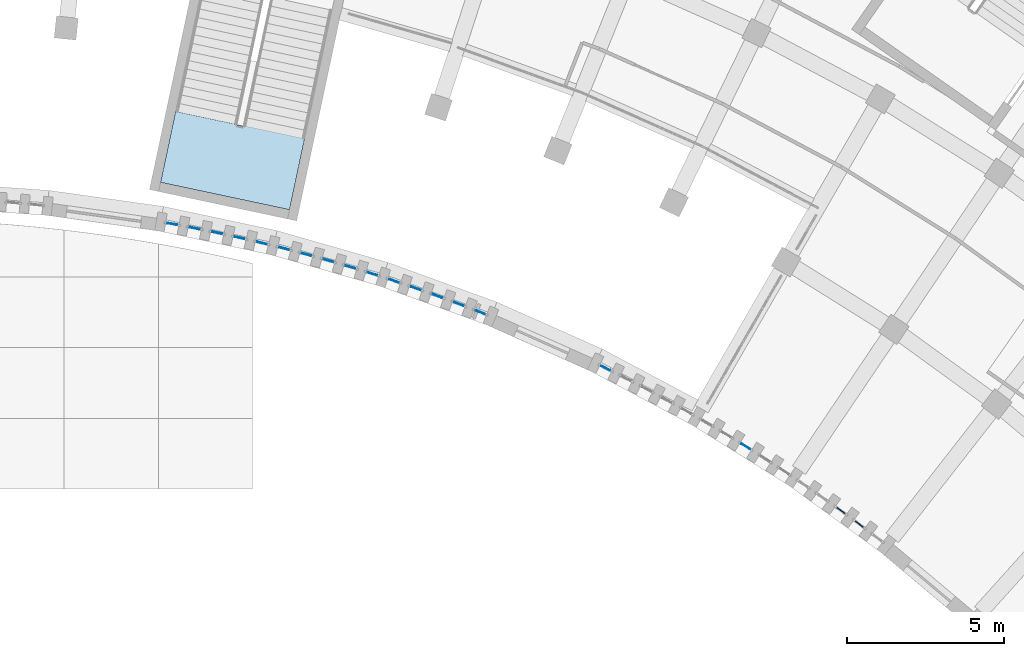
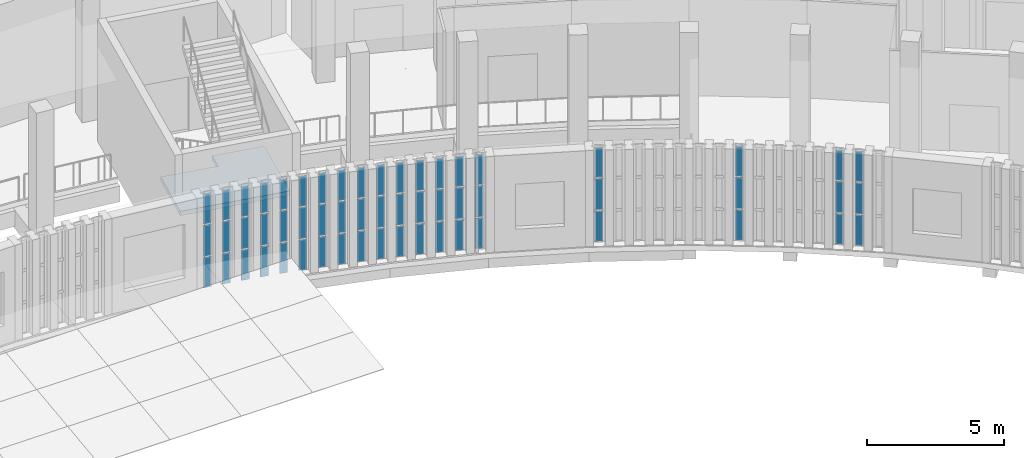
# One storey, part 46 of 112: 57 plates, 1 slab, 20 elements without a shape of their own.
"""IFC4 building model written with IfcOpenShell, lengths in metres."""

from ifc_helpers import new_model, si_unit, direction, frame, origin, origin_2d, place, context, subcontext, project, spatial, polyline, rectangle, outline, extrude, material, layer, layer_set, type_object, element, aggregate, save


model = new_model("IFC4")

# Units and contexts
model_context = context("Model", 3, precision=1e-05, world=origin(), true_north=direction((0.0, 1.0)))
body_context = subcontext(model_context, "Body", "Model", "MODEL_VIEW")
ifc_project = project(units=[si_unit("LENGTHUNIT", "METRE"), si_unit("AREAUNIT", "SQUARE_METRE"), si_unit("VOLUMEUNIT", "CUBIC_METRE"), si_unit("PLANEANGLEUNIT", "RADIAN"), si_unit("MASSUNIT", "GRAM", prefix="KILO")], contexts=[model_context])

# Site, building, storey
site_placement = place(None, origin())
site = spatial("IfcSite", under=ifc_project, at=site_placement, CompositionType="ELEMENT")
building_placement = place(site_placement, origin())
building = spatial("IfcBuilding", under=site, at=building_placement, Name="Lunette Opera House", CompositionType="ELEMENT")
storey_placement = place(building_placement, frame((0.0, 0.0, 6.0)))
storey = spatial("IfcBuildingStorey", under=building, at=storey_placement, Name="L01", CompositionType="ELEMENT", Elevation=6.0)

# Curtain wall, plates
ifc_material_1 = material(Name="Aluminium", Category="aluminium")
ifc_layer_1 = layer(ifc_material_1, 0.1201171875)
ifc_layer_set_1 = layer_set([ifc_layer_1], Name="Aluminium")
curtain_wall_type = type_object("IfcCurtainWallType", Name="SLOT CURTAIN WALL", PredefinedType="NOTDEFINED", material=ifc_layer_set_1)
curtain_wall_1_placement = place(storey_placement, origin())
curtain_wall_1 = element("IfcCurtainWall", 1, at=curtain_wall_1_placement, inside=storey, type_object=curtain_wall_type, Name="Slot Curtain Wall CS046 L01", PredefinedType="NOTDEFINED")
ifc_material_2 = material(Name="Laminated glass", Category="glass")
ifc_layer_2 = layer(ifc_material_2, 0.028076171875)
ifc_layer_set_2 = layer_set([ifc_layer_2], Name="Laminated glass")
plate_type = type_object("IfcPlateType", Name="CURTAIN PANEL LAMINATED GLASS 28", PredefinedType="CURTAIN_PANEL", material=ifc_layer_set_2)
plate_1_placement = place(storey_placement, frame((105.44091796875, 51.4404296875, 0.06005859375), z_axis=(0.0, 0.0, 1.0), x_axis=(0.983907017475, -0.178681227225, 0.0)))
plate_1 = element("IfcPlate", 2, at=plate_1_placement, type_object=plate_type, Name="FC-X2092 panel 1.1", PredefinedType="CURTAIN_PANEL", context=body_context, shape_type="SweptSolid", body=[
    extrude(rectangle(XDim=0.31103515625, YDim=0.028076171875, at=origin_2d()), origin(), (0.0, 0.0, 1.0), 1.343017578125),
])
plate_2_placement = place(storey_placement, frame((105.44091796875, 51.4404296875, 1.462890625), z_axis=(0.0, 0.0, 1.0), x_axis=(0.983907017475, -0.178681227225, 0.0)))
plate_2 = element("IfcPlate", 3, at=plate_2_placement, type_object=plate_type, Name="FC-X2092 panel 1.2", PredefinedType="CURTAIN_PANEL", context=body_context, shape_type="SweptSolid", body=[
    extrude(rectangle(XDim=0.31103515625, YDim=0.028076171875, at=origin_2d()), origin(), (0.0, 0.0, 1.0), 1.3740234375),
])
plate_3_placement = place(storey_placement, frame((105.44091796875, 51.4404296875, 2.89697265625), z_axis=(0.0, 0.0, 1.0), x_axis=(0.983907017475, -0.178681227225, 0.0)))
plate_3 = element("IfcPlate", 4, at=plate_3_placement, type_object=plate_type, Name="FC-X2092 panel 1.3", PredefinedType="CURTAIN_PANEL", context=body_context, shape_type="SweptSolid", body=[
    extrude(rectangle(XDim=0.31103515625, YDim=0.028076171875, at=origin_2d()), origin(), (0.0, 0.0, 1.0), 1.343017578125),
])
aggregate(curtain_wall_1, [plate_1, plate_2, plate_3])

curtain_wall_2_placement = place(storey_placement, origin())
curtain_wall_2 = element("IfcCurtainWall", 5, at=curtain_wall_2_placement, inside=storey, type_object=curtain_wall_type, Name="Slot Curtain Wall CS047 L01", PredefinedType="NOTDEFINED")
plate_4_placement = place(storey_placement, frame((106.157958984375, 51.303466796875, 0.06005859375), z_axis=(0.0, 0.0, 1.0), x_axis=(0.981201674814, -0.192985163529, 0.0)))
plate_4 = element("IfcPlate", 6, at=plate_4_placement, type_object=plate_type, Name="FC-X2094 panel 1.1", PredefinedType="CURTAIN_PANEL", context=body_context, shape_type="SweptSolid", body=[
    extrude(rectangle(XDim=0.31005859375, YDim=0.028076171875, at=origin_2d()), origin(), (0.0, 0.0, 1.0), 1.343017578125),
])
plate_5_placement = place(storey_placement, frame((106.157958984375, 51.303466796875, 1.462890625), z_axis=(0.0, 0.0, 1.0), x_axis=(0.981201674814, -0.192985163529, 0.0)))
plate_5 = element("IfcPlate", 7, at=plate_5_placement, type_object=plate_type, Name="FC-X2094 panel 1.2", PredefinedType="CURTAIN_PANEL", context=body_context, shape_type="SweptSolid", body=[
    extrude(rectangle(XDim=0.31005859375, YDim=0.028076171875, at=origin_2d()), origin(), (0.0, 0.0, 1.0), 1.3740234375),
])
plate_6_placement = place(storey_placement, frame((106.157958984375, 51.303466796875, 2.89697265625), z_axis=(0.0, 0.0, 1.0), x_axis=(0.981201674814, -0.192985163529, 0.0)))
plate_6 = element("IfcPlate", 8, at=plate_6_placement, type_object=plate_type, Name="FC-X2094 panel 1.3", PredefinedType="CURTAIN_PANEL", context=body_context, shape_type="SweptSolid", body=[
    extrude(rectangle(XDim=0.31005859375, YDim=0.028076171875, at=origin_2d()), origin(), (0.0, 0.0, 1.0), 1.343017578125),
])
aggregate(curtain_wall_2, [plate_4, plate_5, plate_6])

curtain_wall_3_placement = place(storey_placement, origin())
curtain_wall_3 = element("IfcCurtainWall", 9, at=curtain_wall_3_placement, inside=storey, type_object=curtain_wall_type, Name="Slot Curtain Wall CS048 L01", PredefinedType="NOTDEFINED")
plate_7_placement = place(storey_placement, frame((106.87353515625, 51.156494140625, 0.06005859375), z_axis=(0.0, 0.0, 1.0), x_axis=(0.978376841558, -0.206830258672, 0.0)))
plate_7 = element("IfcPlate", 10, at=plate_7_placement, type_object=plate_type, Name="FC-X2096 panel 1.1", PredefinedType="CURTAIN_PANEL", context=body_context, shape_type="SweptSolid", body=[
    extrude(rectangle(XDim=0.310302734375, YDim=0.028076171875, at=origin_2d()), origin(), (0.0, 0.0, 1.0), 1.343017578125),
])
plate_8_placement = place(storey_placement, frame((106.87353515625, 51.156494140625, 1.462890625), z_axis=(0.0, 0.0, 1.0), x_axis=(0.978376841558, -0.206830258672, 0.0)))
plate_8 = element("IfcPlate", 11, at=plate_8_placement, type_object=plate_type, Name="FC-X2096 panel 1.2", PredefinedType="CURTAIN_PANEL", context=body_context, shape_type="SweptSolid", body=[
    extrude(rectangle(XDim=0.310302734375, YDim=0.028076171875, at=origin_2d()), origin(), (0.0, 0.0, 1.0), 1.3740234375),
])
plate_9_placement = place(storey_placement, frame((106.87353515625, 51.156494140625, 2.89697265625), z_axis=(0.0, 0.0, 1.0), x_axis=(0.978376841558, -0.206830258672, 0.0)))
plate_9 = element("IfcPlate", 12, at=plate_9_placement, type_object=plate_type, Name="FC-X2096 panel 1.3", PredefinedType="CURTAIN_PANEL", context=body_context, shape_type="SweptSolid", body=[
    extrude(rectangle(XDim=0.310302734375, YDim=0.028076171875, at=origin_2d()), origin(), (0.0, 0.0, 1.0), 1.343017578125),
])
aggregate(curtain_wall_3, [plate_7, plate_8, plate_9])

curtain_wall_4_placement = place(storey_placement, origin())
curtain_wall_4 = element("IfcCurtainWall", 13, at=curtain_wall_4_placement, inside=storey, type_object=curtain_wall_type, Name="Slot Curtain Wall CS049 L01", PredefinedType="NOTDEFINED")
plate_10_placement = place(storey_placement, frame((107.5869140625, 51.0, 0.06005859375), z_axis=(0.0, 0.0, 1.0), x_axis=(0.97485850657, -0.222824801509, 0.0)))
plate_10 = element("IfcPlate", 14, at=plate_10_placement, type_object=plate_type, Name="FC-X2098 panel 1.1", PredefinedType="CURTAIN_PANEL", context=body_context, shape_type="SweptSolid", body=[
    extrude(rectangle(XDim=0.310791015625, YDim=0.028076171875, at=origin_2d()), origin(), (0.0, 0.0, 1.0), 1.343017578125),
])
plate_11_placement = place(storey_placement, frame((107.5869140625, 51.0, 1.462890625), z_axis=(0.0, 0.0, 1.0), x_axis=(0.97485850657, -0.222824801509, 0.0)))
plate_11 = element("IfcPlate", 15, at=plate_11_placement, type_object=plate_type, Name="FC-X2098 panel 1.2", PredefinedType="CURTAIN_PANEL", context=body_context, shape_type="SweptSolid", body=[
    extrude(rectangle(XDim=0.310791015625, YDim=0.028076171875, at=origin_2d()), origin(), (0.0, 0.0, 1.0), 1.3740234375),
])
plate_12_placement = place(storey_placement, frame((107.5869140625, 51.0, 2.89697265625), z_axis=(0.0, 0.0, 1.0), x_axis=(0.97485850657, -0.222824801509, 0.0)))
plate_12 = element("IfcPlate", 16, at=plate_12_placement, type_object=plate_type, Name="FC-X2098 panel 1.3", PredefinedType="CURTAIN_PANEL", context=body_context, shape_type="SweptSolid", body=[
    extrude(rectangle(XDim=0.310791015625, YDim=0.028076171875, at=origin_2d()), origin(), (0.0, 0.0, 1.0), 1.343017578125),
])
aggregate(curtain_wall_4, [plate_10, plate_11, plate_12])

curtain_wall_5_placement = place(storey_placement, origin())
curtain_wall_5 = element("IfcCurtainWall", 17, at=curtain_wall_5_placement, inside=storey, type_object=curtain_wall_type, Name="Slot Curtain Wall CS050 L01", PredefinedType="NOTDEFINED")
plate_13_placement = place(storey_placement, frame((108.298095703125, 50.83349609375, 0.06005859375), z_axis=(0.0, 0.0, 1.0), x_axis=(0.972027312434, -0.234867843442, 0.0)))
plate_13 = element("IfcPlate", 18, at=plate_13_placement, type_object=plate_type, Name="FC-X2100 panel 1.1", PredefinedType="CURTAIN_PANEL", context=body_context, shape_type="SweptSolid", body=[
    extrude(rectangle(XDim=0.31005859375, YDim=0.028076171875, at=origin_2d()), origin(), (0.0, 0.0, 1.0), 1.343017578125),
])
plate_14_placement = place(storey_placement, frame((108.298095703125, 50.83349609375, 1.462890625), z_axis=(0.0, 0.0, 1.0), x_axis=(0.972027312434, -0.234867843442, 0.0)))
plate_14 = element("IfcPlate", 19, at=plate_14_placement, type_object=plate_type, Name="FC-X2100 panel 1.2", PredefinedType="CURTAIN_PANEL", context=body_context, shape_type="SweptSolid", body=[
    extrude(rectangle(XDim=0.31005859375, YDim=0.028076171875, at=origin_2d()), origin(), (0.0, 0.0, 1.0), 1.3740234375),
])
plate_15_placement = place(storey_placement, frame((108.298095703125, 50.83349609375, 2.89697265625), z_axis=(0.0, 0.0, 1.0), x_axis=(0.972027312434, -0.234867843442, 0.0)))
plate_15 = element("IfcPlate", 20, at=plate_15_placement, type_object=plate_type, Name="FC-X2100 panel 1.3", PredefinedType="CURTAIN_PANEL", context=body_context, shape_type="SweptSolid", body=[
    extrude(rectangle(XDim=0.31005859375, YDim=0.028076171875, at=origin_2d()), origin(), (0.0, 0.0, 1.0), 1.343017578125),
])
aggregate(curtain_wall_5, [plate_13, plate_14, plate_15])

curtain_wall_6_placement = place(storey_placement, origin())
curtain_wall_6 = element("IfcCurtainWall", 21, at=curtain_wall_6_placement, inside=storey, type_object=curtain_wall_type, Name="Slot Curtain Wall CS051 L01", PredefinedType="NOTDEFINED")
plate_16_placement = place(storey_placement, frame((109.006591796875, 50.656494140625, 0.06005859375), z_axis=(0.0, 0.0, 1.0), x_axis=(0.968620862667, -0.248543003132, 0.0)))
plate_16 = element("IfcPlate", 22, at=plate_16_placement, type_object=plate_type, Name="FC-X2102 panel 1.1", PredefinedType="CURTAIN_PANEL", context=body_context, shape_type="SweptSolid", body=[
    extrude(rectangle(XDim=0.310546875, YDim=0.028076171875, at=origin_2d()), origin(), (0.0, 0.0, 1.0), 1.343017578125),
])
plate_17_placement = place(storey_placement, frame((109.006591796875, 50.656494140625, 1.462890625), z_axis=(0.0, 0.0, 1.0), x_axis=(0.968620862667, -0.248543003132, 0.0)))
plate_17 = element("IfcPlate", 23, at=plate_17_placement, type_object=plate_type, Name="FC-X2102 panel 1.2", PredefinedType="CURTAIN_PANEL", context=body_context, shape_type="SweptSolid", body=[
    extrude(rectangle(XDim=0.310546875, YDim=0.028076171875, at=origin_2d()), origin(), (0.0, 0.0, 1.0), 1.3740234375),
])
plate_18_placement = place(storey_placement, frame((109.006591796875, 50.656494140625, 2.89697265625), z_axis=(0.0, 0.0, 1.0), x_axis=(0.968620862667, -0.248543003132, 0.0)))
plate_18 = element("IfcPlate", 24, at=plate_18_placement, type_object=plate_type, Name="FC-X2102 panel 1.3", PredefinedType="CURTAIN_PANEL", context=body_context, shape_type="SweptSolid", body=[
    extrude(rectangle(XDim=0.310546875, YDim=0.028076171875, at=origin_2d()), origin(), (0.0, 0.0, 1.0), 1.343017578125),
])
aggregate(curtain_wall_6, [plate_16, plate_17, plate_18])

curtain_wall_7_placement = place(storey_placement, origin())
curtain_wall_7 = element("IfcCurtainWall", 25, at=curtain_wall_7_placement, inside=storey, type_object=curtain_wall_type, Name="Slot Curtain Wall CS052 L01", PredefinedType="NOTDEFINED")
plate_19_placement = place(storey_placement, frame((109.71240234375, 50.469970703125, 0.06005859375), z_axis=(0.0, 0.0, 1.0), x_axis=(0.965458348983, -0.260557433934, 0.0)))
plate_19 = element("IfcPlate", 26, at=plate_19_placement, type_object=plate_type, Name="FC-X2104 panel 1.1", PredefinedType="CURTAIN_PANEL", context=body_context, shape_type="SweptSolid", body=[
    extrude(rectangle(XDim=0.309814453125, YDim=0.028076171875, at=origin_2d()), origin(), (0.0, 0.0, 1.0), 1.343017578125),
])
plate_20_placement = place(storey_placement, frame((109.71240234375, 50.469970703125, 1.462890625), z_axis=(0.0, 0.0, 1.0), x_axis=(0.965458348983, -0.260557433934, 0.0)))
plate_20 = element("IfcPlate", 27, at=plate_20_placement, type_object=plate_type, Name="FC-X2104 panel 1.2", PredefinedType="CURTAIN_PANEL", context=body_context, shape_type="SweptSolid", body=[
    extrude(rectangle(XDim=0.309814453125, YDim=0.028076171875, at=origin_2d()), origin(), (0.0, 0.0, 1.0), 1.3740234375),
])
plate_21_placement = place(storey_placement, frame((109.71240234375, 50.469970703125, 2.89697265625), z_axis=(0.0, 0.0, 1.0), x_axis=(0.965458348983, -0.260557433934, 0.0)))
plate_21 = element("IfcPlate", 28, at=plate_21_placement, type_object=plate_type, Name="FC-X2104 panel 1.3", PredefinedType="CURTAIN_PANEL", context=body_context, shape_type="SweptSolid", body=[
    extrude(rectangle(XDim=0.309814453125, YDim=0.028076171875, at=origin_2d()), origin(), (0.0, 0.0, 1.0), 1.343017578125),
])
aggregate(curtain_wall_7, [plate_19, plate_20, plate_21])

curtain_wall_8_placement = place(storey_placement, origin())
curtain_wall_8 = element("IfcCurtainWall", 29, at=curtain_wall_8_placement, inside=storey, type_object=curtain_wall_type, Name="Slot Curtain Wall CS053 L01", PredefinedType="NOTDEFINED")
plate_22_placement = place(storey_placement, frame((110.416015625, 50.2734375, 0.06005859375), z_axis=(0.0, 0.0, 1.0), x_axis=(0.961084714065, -0.276253818781, 0.0)))
plate_22 = element("IfcPlate", 30, at=plate_22_placement, type_object=plate_type, Name="FC-X2106 panel 1.1", PredefinedType="CURTAIN_PANEL", context=body_context, shape_type="SweptSolid", body=[
    extrude(rectangle(XDim=0.310791015625, YDim=0.028076171875, at=origin_2d()), origin(), (0.0, 0.0, 1.0), 1.343017578125),
])
plate_23_placement = place(storey_placement, frame((110.416015625, 50.2734375, 1.462890625), z_axis=(0.0, 0.0, 1.0), x_axis=(0.961084714065, -0.276253818781, 0.0)))
plate_23 = element("IfcPlate", 31, at=plate_23_placement, type_object=plate_type, Name="FC-X2106 panel 1.2", PredefinedType="CURTAIN_PANEL", context=body_context, shape_type="SweptSolid", body=[
    extrude(rectangle(XDim=0.310791015625, YDim=0.028076171875, at=origin_2d()), origin(), (0.0, 0.0, 1.0), 1.3740234375),
])
plate_24_placement = place(storey_placement, frame((110.416015625, 50.2734375, 2.89697265625), z_axis=(0.0, 0.0, 1.0), x_axis=(0.961084714065, -0.276253818781, 0.0)))
plate_24 = element("IfcPlate", 32, at=plate_24_placement, type_object=plate_type, Name="FC-X2106 panel 1.3", PredefinedType="CURTAIN_PANEL", context=body_context, shape_type="SweptSolid", body=[
    extrude(rectangle(XDim=0.310791015625, YDim=0.028076171875, at=origin_2d()), origin(), (0.0, 0.0, 1.0), 1.343017578125),
])
aggregate(curtain_wall_8, [plate_22, plate_23, plate_24])

curtain_wall_9_placement = place(storey_placement, origin())
curtain_wall_9 = element("IfcCurtainWall", 33, at=curtain_wall_9_placement, inside=storey, type_object=curtain_wall_type, Name="Slot Curtain Wall CS054 L01", PredefinedType="NOTDEFINED")
plate_25_placement = place(storey_placement, frame((111.115966796875, 50.0673828125, 0.06005859375), z_axis=(0.0, 0.0, 1.0), x_axis=(0.956926678266, -0.290329696075, 0.0)))
plate_25 = element("IfcPlate", 34, at=plate_25_placement, type_object=plate_type, Name="FC-X2108 panel 1.1", PredefinedType="CURTAIN_PANEL", context=body_context, shape_type="SweptSolid", body=[
    extrude(rectangle(XDim=0.310546875, YDim=0.028076171875, at=origin_2d()), origin(), (0.0, 0.0, 1.0), 1.343017578125),
])
plate_26_placement = place(storey_placement, frame((111.115966796875, 50.0673828125, 1.462890625), z_axis=(0.0, 0.0, 1.0), x_axis=(0.956926678266, -0.290329696075, 0.0)))
plate_26 = element("IfcPlate", 35, at=plate_26_placement, type_object=plate_type, Name="FC-X2108 panel 1.2", PredefinedType="CURTAIN_PANEL", context=body_context, shape_type="SweptSolid", body=[
    extrude(rectangle(XDim=0.310546875, YDim=0.028076171875, at=origin_2d()), origin(), (0.0, 0.0, 1.0), 1.3740234375),
])
plate_27_placement = place(storey_placement, frame((111.115966796875, 50.0673828125, 2.89697265625), z_axis=(0.0, 0.0, 1.0), x_axis=(0.956926678266, -0.290329696075, 0.0)))
plate_27 = element("IfcPlate", 36, at=plate_27_placement, type_object=plate_type, Name="FC-X2108 panel 1.3", PredefinedType="CURTAIN_PANEL", context=body_context, shape_type="SweptSolid", body=[
    extrude(rectangle(XDim=0.310546875, YDim=0.028076171875, at=origin_2d()), origin(), (0.0, 0.0, 1.0), 1.343017578125),
])
aggregate(curtain_wall_9, [plate_25, plate_26, plate_27])

curtain_wall_10_placement = place(storey_placement, origin())
curtain_wall_10 = element("IfcCurtainWall", 37, at=curtain_wall_10_placement, inside=storey, type_object=curtain_wall_type, Name="Slot Curtain Wall CS055 L01", PredefinedType="NOTDEFINED")
plate_28_placement = place(storey_placement, frame((111.81396484375, 49.85107421875, 0.06005859375), z_axis=(0.0, 0.0, 1.0), x_axis=(0.9532306377, -0.302243860731, 0.0)))
plate_28 = element("IfcPlate", 38, at=plate_28_placement, type_object=plate_type, Name="FC-X2110 panel 1.1", PredefinedType="CURTAIN_PANEL", context=body_context, shape_type="SweptSolid", body=[
    extrude(rectangle(XDim=0.31005859375, YDim=0.028076171875, at=origin_2d()), origin(), (0.0, 0.0, 1.0), 1.343017578125),
])
plate_29_placement = place(storey_placement, frame((111.81396484375, 49.85107421875, 1.462890625), z_axis=(0.0, 0.0, 1.0), x_axis=(0.9532306377, -0.302243860731, 0.0)))
plate_29 = element("IfcPlate", 39, at=plate_29_placement, type_object=plate_type, Name="FC-X2110 panel 1.2", PredefinedType="CURTAIN_PANEL", context=body_context, shape_type="SweptSolid", body=[
    extrude(rectangle(XDim=0.31005859375, YDim=0.028076171875, at=origin_2d()), origin(), (0.0, 0.0, 1.0), 1.3740234375),
])
plate_30_placement = place(storey_placement, frame((111.81396484375, 49.85107421875, 2.89697265625), z_axis=(0.0, 0.0, 1.0), x_axis=(0.9532306377, -0.302243860731, 0.0)))
plate_30 = element("IfcPlate", 40, at=plate_30_placement, type_object=plate_type, Name="FC-X2110 panel 1.3", PredefinedType="CURTAIN_PANEL", context=body_context, shape_type="SweptSolid", body=[
    extrude(rectangle(XDim=0.31005859375, YDim=0.028076171875, at=origin_2d()), origin(), (0.0, 0.0, 1.0), 1.343017578125),
])
aggregate(curtain_wall_10, [plate_28, plate_29, plate_30])

curtain_wall_11_placement = place(storey_placement, origin())
curtain_wall_11 = element("IfcCurtainWall", 41, at=curtain_wall_11_placement, inside=storey, type_object=curtain_wall_type, Name="Slot Curtain Wall CS056 L01", PredefinedType="NOTDEFINED")
plate_31_placement = place(storey_placement, frame((112.508056640625, 49.6259765625, 0.06005859375), z_axis=(0.0, 0.0, 1.0), x_axis=(0.94868329805, -0.316227766018, 0.0)))
plate_31 = element("IfcPlate", 42, at=plate_31_placement, type_object=plate_type, Name="FC-X2112 panel 1.1", PredefinedType="CURTAIN_PANEL", context=body_context, shape_type="SweptSolid", body=[
    extrude(rectangle(XDim=0.31005859375, YDim=0.028076171875, at=origin_2d()), origin(), (0.0, 0.0, 1.0), 1.343017578125),
])
plate_32_placement = place(storey_placement, frame((112.508056640625, 49.6259765625, 1.462890625), z_axis=(0.0, 0.0, 1.0), x_axis=(0.94868329805, -0.316227766018, 0.0)))
plate_32 = element("IfcPlate", 43, at=plate_32_placement, type_object=plate_type, Name="FC-X2112 panel 1.2", PredefinedType="CURTAIN_PANEL", context=body_context, shape_type="SweptSolid", body=[
    extrude(rectangle(XDim=0.31005859375, YDim=0.028076171875, at=origin_2d()), origin(), (0.0, 0.0, 1.0), 1.3740234375),
])
plate_33_placement = place(storey_placement, frame((112.508056640625, 49.6259765625, 2.89697265625), z_axis=(0.0, 0.0, 1.0), x_axis=(0.94868329805, -0.316227766018, 0.0)))
plate_33 = element("IfcPlate", 44, at=plate_33_placement, type_object=plate_type, Name="FC-X2112 panel 1.3", PredefinedType="CURTAIN_PANEL", context=body_context, shape_type="SweptSolid", body=[
    extrude(rectangle(XDim=0.31005859375, YDim=0.028076171875, at=origin_2d()), origin(), (0.0, 0.0, 1.0), 1.343017578125),
])
aggregate(curtain_wall_11, [plate_31, plate_32, plate_33])

curtain_wall_12_placement = place(storey_placement, origin())
curtain_wall_12 = element("IfcCurtainWall", 45, at=curtain_wall_12_placement, inside=storey, type_object=curtain_wall_type, Name="Slot Curtain Wall CS057 L01", PredefinedType="NOTDEFINED")
plate_34_placement = place(storey_placement, frame((113.199462890625, 49.390380859375, 0.06005859375), z_axis=(0.0, 0.0, 1.0), x_axis=(0.944903237351, -0.327349770191, 0.0)))
plate_34 = element("IfcPlate", 46, at=plate_34_placement, type_object=plate_type, Name="FC-X2114 panel 1.1", PredefinedType="CURTAIN_PANEL", context=body_context, shape_type="SweptSolid", body=[
    extrude(rectangle(XDim=0.310791015625, YDim=0.028076171875, at=origin_2d()), origin(), (0.0, 0.0, 1.0), 1.343017578125),
])
plate_35_placement = place(storey_placement, frame((113.199462890625, 49.390380859375, 1.462890625), z_axis=(0.0, 0.0, 1.0), x_axis=(0.944903237351, -0.327349770191, 0.0)))
plate_35 = element("IfcPlate", 47, at=plate_35_placement, type_object=plate_type, Name="FC-X2114 panel 1.2", PredefinedType="CURTAIN_PANEL", context=body_context, shape_type="SweptSolid", body=[
    extrude(rectangle(XDim=0.310791015625, YDim=0.028076171875, at=origin_2d()), origin(), (0.0, 0.0, 1.0), 1.3740234375),
])
plate_36_placement = place(storey_placement, frame((113.199462890625, 49.390380859375, 2.89697265625), z_axis=(0.0, 0.0, 1.0), x_axis=(0.944903237351, -0.327349770191, 0.0)))
plate_36 = element("IfcPlate", 48, at=plate_36_placement, type_object=plate_type, Name="FC-X2114 panel 1.3", PredefinedType="CURTAIN_PANEL", context=body_context, shape_type="SweptSolid", body=[
    extrude(rectangle(XDim=0.310791015625, YDim=0.028076171875, at=origin_2d()), origin(), (0.0, 0.0, 1.0), 1.343017578125),
])
aggregate(curtain_wall_12, [plate_34, plate_35, plate_36])

curtain_wall_13_placement = place(storey_placement, origin())
curtain_wall_13 = element("IfcCurtainWall", 49, at=curtain_wall_13_placement, inside=storey, type_object=curtain_wall_type, Name="Slot Curtain Wall CS058 L01", PredefinedType="NOTDEFINED")
plate_37_placement = place(storey_placement, frame((113.887451171875, 49.1455078125, 0.06005859375), z_axis=(0.0, 0.0, 1.0), x_axis=(0.939996554639, -0.341183934655, 0.0)))
plate_37 = element("IfcPlate", 50, at=plate_37_placement, type_object=plate_type, Name="FC-X2116 panel 1.1", PredefinedType="CURTAIN_PANEL", context=body_context, shape_type="SweptSolid", body=[
    extrude(rectangle(XDim=0.310791015625, YDim=0.028076171875, at=origin_2d()), origin(), (0.0, 0.0, 1.0), 1.343017578125),
])
plate_38_placement = place(storey_placement, frame((113.887451171875, 49.1455078125, 1.462890625), z_axis=(0.0, 0.0, 1.0), x_axis=(0.939996554639, -0.341183934655, 0.0)))
plate_38 = element("IfcPlate", 51, at=plate_38_placement, type_object=plate_type, Name="FC-X2116 panel 1.2", PredefinedType="CURTAIN_PANEL", context=body_context, shape_type="SweptSolid", body=[
    extrude(rectangle(XDim=0.310791015625, YDim=0.028076171875, at=origin_2d()), origin(), (0.0, 0.0, 1.0), 1.3740234375),
])
plate_39_placement = place(storey_placement, frame((113.887451171875, 49.1455078125, 2.89697265625), z_axis=(0.0, 0.0, 1.0), x_axis=(0.939996554639, -0.341183934655, 0.0)))
plate_39 = element("IfcPlate", 52, at=plate_39_placement, type_object=plate_type, Name="FC-X2116 panel 1.3", PredefinedType="CURTAIN_PANEL", context=body_context, shape_type="SweptSolid", body=[
    extrude(rectangle(XDim=0.310791015625, YDim=0.028076171875, at=origin_2d()), origin(), (0.0, 0.0, 1.0), 1.343017578125),
])
aggregate(curtain_wall_13, [plate_37, plate_38, plate_39])

curtain_wall_14_placement = place(storey_placement, origin())
curtain_wall_14 = element("IfcCurtainWall", 53, at=curtain_wall_14_placement, inside=storey, type_object=curtain_wall_type, Name="Slot Curtain Wall CS059 L01", PredefinedType="NOTDEFINED")
plate_40_placement = place(storey_placement, frame((114.572021484375, 48.89111328125, 0.06005859375), z_axis=(0.0, 0.0, 1.0), x_axis=(0.935369490502, -0.353672046164, 0.0)))
plate_40 = element("IfcPlate", 54, at=plate_40_placement, type_object=plate_type, Name="FC-X2118 panel 1.1", PredefinedType="CURTAIN_PANEL", context=body_context, shape_type="SweptSolid", body=[
    extrude(rectangle(XDim=0.309814453125, YDim=0.028076171875, at=origin_2d()), origin(), (0.0, 0.0, 1.0), 1.343017578125),
])
plate_41_placement = place(storey_placement, frame((114.572021484375, 48.89111328125, 1.462890625), z_axis=(0.0, 0.0, 1.0), x_axis=(0.935369490502, -0.353672046164, 0.0)))
plate_41 = element("IfcPlate", 55, at=plate_41_placement, type_object=plate_type, Name="FC-X2118 panel 1.2", PredefinedType="CURTAIN_PANEL", context=body_context, shape_type="SweptSolid", body=[
    extrude(rectangle(XDim=0.309814453125, YDim=0.028076171875, at=origin_2d()), origin(), (0.0, 0.0, 1.0), 1.3740234375),
])
plate_42_placement = place(storey_placement, frame((114.572021484375, 48.89111328125, 2.89697265625), z_axis=(0.0, 0.0, 1.0), x_axis=(0.935369490502, -0.353672046164, 0.0)))
plate_42 = element("IfcPlate", 56, at=plate_42_placement, type_object=plate_type, Name="FC-X2118 panel 1.3", PredefinedType="CURTAIN_PANEL", context=body_context, shape_type="SweptSolid", body=[
    extrude(rectangle(XDim=0.309814453125, YDim=0.028076171875, at=origin_2d()), origin(), (0.0, 0.0, 1.0), 1.343017578125),
])
aggregate(curtain_wall_14, [plate_40, plate_41, plate_42])

curtain_wall_15_placement = place(storey_placement, origin())
curtain_wall_15 = element("IfcCurtainWall", 57, at=curtain_wall_15_placement, inside=storey, type_object=curtain_wall_type, Name="Slot Curtain Wall CS060 L01", PredefinedType="NOTDEFINED")
plate_43_placement = place(storey_placement, frame((115.2529296875, 48.626953125, 0.06005859375), z_axis=(0.0, 0.0, 1.0), x_axis=(0.93007160781, -0.367378285076, 0.0)))
plate_43 = element("IfcPlate", 58, at=plate_43_placement, type_object=plate_type, Name="FC-X2120 panel 1.1", PredefinedType="CURTAIN_PANEL", context=body_context, shape_type="SweptSolid", body=[
    extrude(rectangle(XDim=0.31005859375, YDim=0.028076171875, at=origin_2d()), origin(), (0.0, 0.0, 1.0), 1.343017578125),
])
plate_44_placement = place(storey_placement, frame((115.2529296875, 48.626953125, 1.462890625), z_axis=(0.0, 0.0, 1.0), x_axis=(0.93007160781, -0.367378285076, 0.0)))
plate_44 = element("IfcPlate", 59, at=plate_44_placement, type_object=plate_type, Name="FC-X2120 panel 1.2", PredefinedType="CURTAIN_PANEL", context=body_context, shape_type="SweptSolid", body=[
    extrude(rectangle(XDim=0.31005859375, YDim=0.028076171875, at=origin_2d()), origin(), (0.0, 0.0, 1.0), 1.3740234375),
])
plate_45_placement = place(storey_placement, frame((115.2529296875, 48.626953125, 2.89697265625), z_axis=(0.0, 0.0, 1.0), x_axis=(0.93007160781, -0.367378285076, 0.0)))
plate_45 = element("IfcPlate", 60, at=plate_45_placement, type_object=plate_type, Name="FC-X2120 panel 1.3", PredefinedType="CURTAIN_PANEL", context=body_context, shape_type="SweptSolid", body=[
    extrude(rectangle(XDim=0.31005859375, YDim=0.028076171875, at=origin_2d()), origin(), (0.0, 0.0, 1.0), 1.343017578125),
])
aggregate(curtain_wall_15, [plate_43, plate_44, plate_45])

curtain_wall_16_placement = place(storey_placement, origin())
curtain_wall_16 = element("IfcCurtainWall", 61, at=curtain_wall_16_placement, inside=storey, type_object=curtain_wall_type, Name="Slot Curtain Wall CS061 L01", PredefinedType="NOTDEFINED")
plate_46_placement = place(storey_placement, frame((119.25439453125, 46.845458984375, 0.06005859375), z_axis=(0.0, 0.0, 1.0), x_axis=(0.895818914219, -0.444419253552, 0.0)))
plate_46 = element("IfcPlate", 62, at=plate_46_placement, type_object=plate_type, Name="FC-X2122 panel 1.1", PredefinedType="CURTAIN_PANEL", context=body_context, shape_type="SweptSolid", body=[
    extrude(rectangle(XDim=0.309814453125, YDim=0.028076171875, at=origin_2d()), origin(), (0.0, 0.0, 1.0), 1.343017578125),
])
plate_47_placement = place(storey_placement, frame((119.25439453125, 46.845458984375, 1.462890625), z_axis=(0.0, 0.0, 1.0), x_axis=(0.895818914219, -0.444419253552, 0.0)))
plate_47 = element("IfcPlate", 63, at=plate_47_placement, type_object=plate_type, Name="FC-X2122 panel 1.2", PredefinedType="CURTAIN_PANEL", context=body_context, shape_type="SweptSolid", body=[
    extrude(rectangle(XDim=0.309814453125, YDim=0.028076171875, at=origin_2d()), origin(), (0.0, 0.0, 1.0), 1.3740234375),
])
plate_48_placement = place(storey_placement, frame((119.25439453125, 46.845458984375, 2.89697265625), z_axis=(0.0, 0.0, 1.0), x_axis=(0.895818914219, -0.444419253552, 0.0)))
plate_48 = element("IfcPlate", 64, at=plate_48_placement, type_object=plate_type, Name="FC-X2122 panel 1.3", PredefinedType="CURTAIN_PANEL", context=body_context, shape_type="SweptSolid", body=[
    extrude(rectangle(XDim=0.309814453125, YDim=0.028076171875, at=origin_2d()), origin(), (0.0, 0.0, 1.0), 1.343017578125),
])
aggregate(curtain_wall_16, [plate_46, plate_47, plate_48])

curtain_wall_17_placement = place(storey_placement, origin())
curtain_wall_17 = element("IfcCurtainWall", 65, at=curtain_wall_17_placement, inside=storey, type_object=curtain_wall_type, Name="Slot Curtain Wall CS068 L01", PredefinedType="NOTDEFINED")
plate_49_placement = place(storey_placement, frame((123.714599609375, 44.35302734375, 0.06005859375), z_axis=(0.0, 0.0, 1.0), x_axis=(0.848128819893, -0.52979005735, 0.0)))
plate_49 = element("IfcPlate", 66, at=plate_49_placement, type_object=plate_type, Name="FC-X2136 panel 1.1", PredefinedType="CURTAIN_PANEL", context=body_context, shape_type="SweptSolid", body=[
    extrude(rectangle(XDim=0.310302734375, YDim=0.028076171875, at=origin_2d()), origin(), (0.0, 0.0, 1.0), 1.343017578125),
])
plate_50_placement = place(storey_placement, frame((123.714599609375, 44.35302734375, 1.462890625), z_axis=(0.0, 0.0, 1.0), x_axis=(0.848128819893, -0.52979005735, 0.0)))
plate_50 = element("IfcPlate", 67, at=plate_50_placement, type_object=plate_type, Name="FC-X2136 panel 1.2", PredefinedType="CURTAIN_PANEL", context=body_context, shape_type="SweptSolid", body=[
    extrude(rectangle(XDim=0.310302734375, YDim=0.028076171875, at=origin_2d()), origin(), (0.0, 0.0, 1.0), 1.3740234375),
])
plate_51_placement = place(storey_placement, frame((123.714599609375, 44.35302734375, 2.89697265625), z_axis=(0.0, 0.0, 1.0), x_axis=(0.848128819893, -0.52979005735, 0.0)))
plate_51 = element("IfcPlate", 68, at=plate_51_placement, type_object=plate_type, Name="FC-X2136 panel 1.3", PredefinedType="CURTAIN_PANEL", context=body_context, shape_type="SweptSolid", body=[
    extrude(rectangle(XDim=0.310302734375, YDim=0.028076171875, at=origin_2d()), origin(), (0.0, 0.0, 1.0), 1.343017578125),
])
aggregate(curtain_wall_17, [plate_49, plate_50, plate_51])

curtain_wall_18_placement = place(storey_placement, origin())
curtain_wall_18 = element("IfcCurtainWall", 69, at=curtain_wall_18_placement, inside=storey, type_object=curtain_wall_type, Name="Slot Curtain Wall CS073 L01", PredefinedType="NOTDEFINED")
plate_52_placement = place(storey_placement, frame((126.740966796875, 42.3115234375, 0.06005859375), z_axis=(0.0, 0.0, 1.0), x_axis=(0.808836580304, -0.58803349085, 0.0)))
plate_52 = element("IfcPlate", 70, at=plate_52_placement, type_object=plate_type, Name="FC-X2146 panel 1.1", PredefinedType="CURTAIN_PANEL", context=body_context, shape_type="SweptSolid", body=[
    extrude(rectangle(XDim=0.310302734375, YDim=0.028076171875, at=origin_2d()), origin(), (0.0, 0.0, 1.0), 1.343017578125),
])
plate_53_placement = place(storey_placement, frame((126.740966796875, 42.3115234375, 1.462890625), z_axis=(0.0, 0.0, 1.0), x_axis=(0.808836580304, -0.58803349085, 0.0)))
plate_53 = element("IfcPlate", 71, at=plate_53_placement, type_object=plate_type, Name="FC-X2146 panel 1.2", PredefinedType="CURTAIN_PANEL", context=body_context, shape_type="SweptSolid", body=[
    extrude(rectangle(XDim=0.310302734375, YDim=0.028076171875, at=origin_2d()), origin(), (0.0, 0.0, 1.0), 1.3740234375),
])
plate_54_placement = place(storey_placement, frame((126.740966796875, 42.3115234375, 2.89697265625), z_axis=(0.0, 0.0, 1.0), x_axis=(0.808836580304, -0.58803349085, 0.0)))
plate_54 = element("IfcPlate", 72, at=plate_54_placement, type_object=plate_type, Name="FC-X2146 panel 1.3", PredefinedType="CURTAIN_PANEL", context=body_context, shape_type="SweptSolid", body=[
    extrude(rectangle(XDim=0.310302734375, YDim=0.028076171875, at=origin_2d()), origin(), (0.0, 0.0, 1.0), 1.343017578125),
])
aggregate(curtain_wall_18, [plate_52, plate_53, plate_54])

curtain_wall_19_placement = place(storey_placement, origin())
curtain_wall_19 = element("IfcCurtainWall", 73, at=curtain_wall_19_placement, inside=storey, type_object=curtain_wall_type, Name="Slot Curtain Wall CS074 L01", PredefinedType="NOTDEFINED")
plate_55_placement = place(storey_placement, frame((127.32861328125, 41.8779296875, 0.06005859375), z_axis=(0.0, 0.0, 1.0), x_axis=(0.800834877873, -0.598885213026, 0.0)))
plate_55 = element("IfcPlate", 74, at=plate_55_placement, type_object=plate_type, Name="FC-X2148 panel 1.1", PredefinedType="CURTAIN_PANEL", context=body_context, shape_type="SweptSolid", body=[
    extrude(rectangle(XDim=0.310791015625, YDim=0.028076171875, at=origin_2d()), origin(), (0.0, 0.0, 1.0), 1.343017578125),
])
plate_56_placement = place(storey_placement, frame((127.32861328125, 41.8779296875, 1.462890625), z_axis=(0.0, 0.0, 1.0), x_axis=(0.800834877873, -0.598885213026, 0.0)))
plate_56 = element("IfcPlate", 75, at=plate_56_placement, type_object=plate_type, Name="FC-X2148 panel 1.2", PredefinedType="CURTAIN_PANEL", context=body_context, shape_type="SweptSolid", body=[
    extrude(rectangle(XDim=0.310791015625, YDim=0.028076171875, at=origin_2d()), origin(), (0.0, 0.0, 1.0), 1.3740234375),
])
plate_57_placement = place(storey_placement, frame((127.32861328125, 41.8779296875, 2.89697265625), z_axis=(0.0, 0.0, 1.0), x_axis=(0.800834877873, -0.598885213026, 0.0)))
plate_57 = element("IfcPlate", 76, at=plate_57_placement, type_object=plate_type, Name="FC-X2148 panel 1.3", PredefinedType="CURTAIN_PANEL", context=body_context, shape_type="SweptSolid", body=[
    extrude(rectangle(XDim=0.310791015625, YDim=0.028076171875, at=origin_2d()), origin(), (0.0, 0.0, 1.0), 1.343017578125),
])
aggregate(curtain_wall_19, [plate_55, plate_56, plate_57])

# Stair, slab
ifc_material_3 = material(Name="Concrete C35/45", Category="concrete")
stair_type = type_object("IfcStairType", Name="DOGLEG STAIR 2000", PredefinedType="HALF_TURN_STAIR", material=ifc_material_3)
stair_placement = place(storey_placement, origin())
stair = element("IfcStair", 77, at=stair_placement, inside=storey, type_object=stair_type, Name="L01 stair GS2", PredefinedType="HALF_TURN_STAIR")
ifc_material_4 = material(Name="Concrete C35/45", Category="concrete")
ifc_layer_3 = layer(ifc_material_4, 0.199951171875)
ifc_layer_set_3 = layer_set([ifc_layer_3], Name="Concrete C35/45")
slab_type = type_object("IfcSlabType", Name="STAIR LANDING SLAB 200", PredefinedType="LANDING", material=ifc_layer_set_3)
slab_placement = place(storey_placement, frame((0.0, 0.0, 2.550048828125)))
slab = element("IfcSlab", 78, at=slab_placement, type_object=slab_type, Name="GS2 landing 1", PredefinedType="LANDING", context=body_context, shape_type="SweptSolid", body=[
    extrude(outline(polyline([(105.069091796875, 52.76708984375), (105.549072265625, 55.027099609375), (107.506103515625, 54.612060546875), (107.5029296875, 54.60205078125), (107.698974609375, 54.56005859375), (107.844970703125, 55.2451171875), (109.801025390625, 54.8291015625), (109.177001953125, 51.89404296875), (105.069091796875, 52.76708984375)])), origin(), (0.0, 0.0, 1.0), 0.199951171875),
])
aggregate(stair, [slab])

save(model, "model.ifc")
